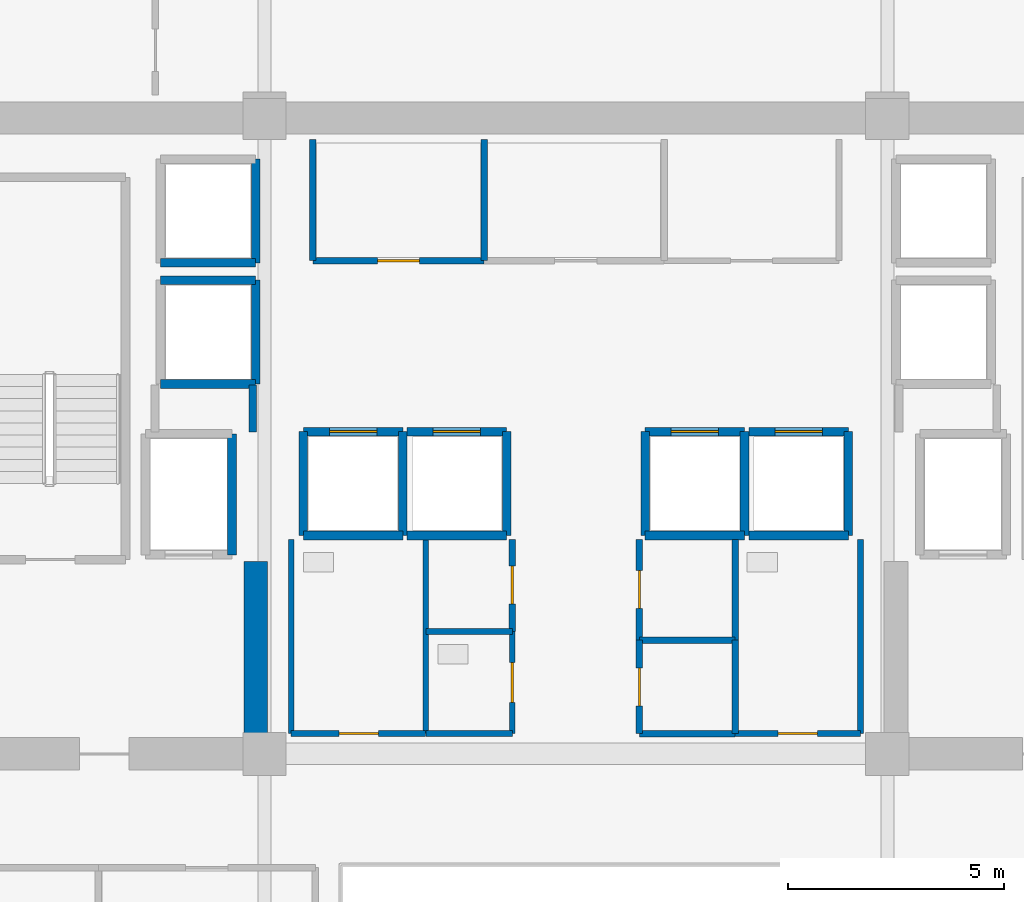
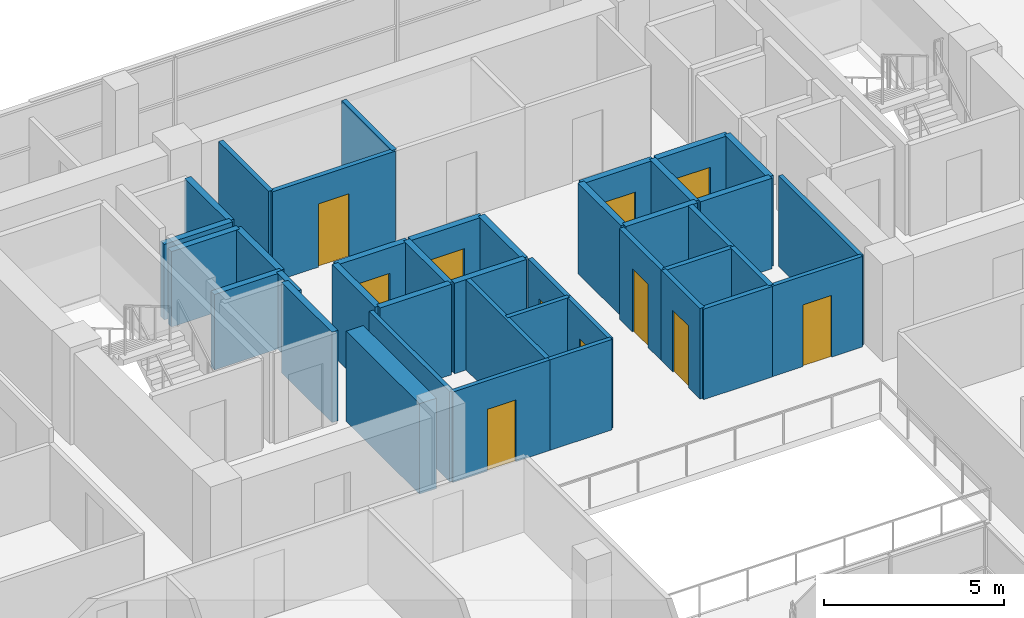
# One storey, part 16 of 22: 40 walls, 11 doors, 11 openings.
"""IFC4 building model written with IfcOpenShell, lengths in metres."""

from ifc_helpers import new_model, si_unit, direction, frame, frame_2d, origin, place, context, subcontext, project, spatial, rectangle, extrude, source, transform, mapped, material, layer, layer_set, type_object, element, fill, save


model = new_model("IFC4")

# Units and contexts
model_context = context("Model", 3, precision=1e-05, world=origin(), true_north=direction((0.0, 1.0)))
body_context = subcontext(model_context, "Body", "Model", "MODEL_VIEW")
ifc_project = project(units=[si_unit("LENGTHUNIT", "METRE"), si_unit("AREAUNIT", "SQUARE_METRE"), si_unit("VOLUMEUNIT", "CUBIC_METRE"), si_unit("PLANEANGLEUNIT", "RADIAN"), si_unit("MASSUNIT", "GRAM", prefix="KILO")], contexts=[model_context])

# Site, building, storey
site_placement = place(None, origin())
site = spatial("IfcSite", under=ifc_project, at=site_placement, CompositionType="ELEMENT")
building_placement = place(site_placement, origin())
building = spatial("IfcBuilding", under=site, at=building_placement, Name="Zarnakvel Exchange Tower", CompositionType="ELEMENT")
storey_placement = place(building_placement, frame((0.0, 0.0, 179.199951171875)))
storey = spatial("IfcBuildingStorey", under=building, at=storey_placement, Name="L50", CompositionType="ELEMENT", Elevation=179.199951171875)

# Wall
ifc_material_1 = material(Name="Concrete C60/75", Category="concrete")
ifc_layer_1 = layer(ifc_material_1, 0.550048828125)
ifc_layer_set_1 = layer_set([ifc_layer_1], Name="Concrete C60/75")
wall_type_1 = type_object("IfcWallType", Name="CW-C4", PredefinedType="SHEAR", material=ifc_layer_set_1)
wall_1_placement = place(storey_placement, frame((-7.39990234375, -0.824951171875, 0.0), z_axis=(0.0, 0.0, 1.0), x_axis=(0.0, 1.0, 0.0)))
element("IfcWall", 1, at=wall_1_placement, inside=storey, type_object=wall_type_1, Name="L50 Rear Core Shear Wall IW (CW-C4)", PredefinedType="SHEAR", context=body_context, shape_type="SweptSolid", body=[
    extrude(rectangle(XDim=4.074951171875, YDim=0.550048828125, at=frame_2d((2.03759765625, 0.0))), origin(), (0.0, 0.0, 1.0), 3.074951171875),
])

# Wall, opening, door
ifc_material_2 = material(Name="Fire-Rated Gypsum Stud Partition", Category="gypsum")
ifc_layer_2 = layer(ifc_material_2, 0.14990234375)
ifc_layer_set_2 = layer_set([ifc_layer_2], Name="Fire-Rated Gypsum Stud Partition")
wall_type_2 = type_object("IfcWallType", Name="PT-01", PredefinedType="PARTITIONING", material=ifc_layer_set_2)
wall_2_placement = place(storey_placement, frame((-2.1201171875, 10.199951171875, 0.0), z_axis=(0.0, 0.0, 1.0), x_axis=(-1.0, 0.0, 0.0)))
wall_2 = element("IfcWall", 2, at=wall_2_placement, inside=storey, type_object=wall_type_2, Name="L50 Partition Wall PWALL-L50-011 (PT-01)", PredefinedType="PARTITIONING", context=body_context, shape_type="SweptSolid", body=[
    extrude(rectangle(XDim=3.9599609375, YDim=0.14990234375, at=frame_2d((1.97998046875, 0.0))), origin(), (0.0, 0.0, 1.0), 3.074951171875),
])
opening_1_placement = place(wall_2_placement, frame((1.489990234375, 0.0, 0.0)))
opening_1 = element("IfcOpeningElement", 3, at=opening_1_placement, cuts=wall_2, Name="Opening D-L50-05", PredefinedType="OPENING", context=body_context, shape_type="SweptSolid", body=[
    extrude(rectangle(XDim=0.97998046875, YDim=2.14990234375, at=frame_2d((0.489990234375, 1.074951171875))), frame((0.0, 0.0849609375, 0.0), z_axis=(0.0, -1.0, 0.0), x_axis=(1.0, 0.0, 0.0)), (0.0, 0.0, 1.0), 0.169921875),
])
ifc_material_3 = material(Name="Timber Acoustic Veneer", Category="wood")
door_type_1 = type_object("IfcDoorType", Name="DT-05", OperationType="NOTDEFINED", PredefinedType="DOOR", material=ifc_material_3)
shared_shape_1 = source(origin(), body_context, "Body", "SweptSolid", [
    extrude(rectangle(XDim=0.97998046875, YDim=2.14990234375, at=frame_2d((0.489990234375, 1.074951171875))), frame((0.0, 0.02490234375, 0.0), z_axis=(0.0, -1.0, 0.0), x_axis=(1.0, 0.0, 0.0)), (0.0, 0.0, 1.0), 0.050048828125),
])
door_1_placement = place(opening_1_placement, origin())
door_1 = element("IfcDoor", 4, at=door_1_placement, inside=storey, type_object=door_type_1, Name="L50 Clearing Records Office Door D-L50-05", OperationType="SINGLE_SWING_RIGHT", OverallHeight=2.14990234375, OverallWidth=0.97998046875, PredefinedType="DOOR", context=body_context, shape_type="MappedRepresentation", body=[
    mapped(shared_shape_1, transform((0.0, 0.0, 0.0), x_axis=(1.0, 0.0, 0.0), y_axis=(0.0, 1.0, 0.0), z_axis=(0.0, 0.0, 1.0), scale=1.0)),
])
fill(opening_1, door_1)

# Walls
for number, where, z_axis, x_axis, name in (
    (5, (-6.080078125, 10.199951171875, 0.0), (0.0, 0.0, 1.0), (0.0, 1.0, 0.0), "L50 Partition Wall PWALL-L50-012 (PT-01)"),
    (6, (-2.1201171875, 13.0, 0.0), (0.0, 0.0, 1.0), (0.0, -1.0, 0.0), "L50 Partition Wall PWALL-L50-013 (PT-01)"),
):
    element("IfcWall", number, at=place(storey_placement, frame(where, z_axis=z_axis, x_axis=x_axis)), inside=storey, type_object=wall_type_2, Name=name, PredefinedType="PARTITIONING", context=body_context, shape_type="SweptSolid", body=[
        extrude(rectangle(XDim=2.800048828125, YDim=0.14990234375, at=frame_2d((1.39990234375, 0.0))), origin(), (0.0, 0.0, 1.0), 3.074951171875),
    ])

# Wall, opening, door
wall_3_placement = place(storey_placement, frame((-1.469970703125, 3.760009765625, 0.0), z_axis=(0.0, 0.0, 1.0), x_axis=(0.0, -1.0, 0.0)))
wall_3 = element("IfcWall", 7, at=wall_3_placement, inside=storey, type_object=wall_type_2, Name="L50 Partition Wall PWALL-L50-024 (PT-01)", PredefinedType="PARTITIONING", context=body_context, shape_type="SweptSolid", body=[
    extrude(rectangle(XDim=2.130126953125, YDim=0.14990234375, at=frame_2d((1.06494140625, 0.0))), origin(), (0.0, 0.0, 1.0), 3.074951171875),
])
opening_2_placement = place(wall_3_placement, frame((0.6201171875, 0.0, 0.0)))
opening_2 = element("IfcOpeningElement", 8, at=opening_2_placement, cuts=wall_3, Name="Opening D-L50-10", PredefinedType="OPENING", context=body_context, shape_type="SweptSolid", body=[
    extrude(rectangle(XDim=0.8798828125, YDim=2.10009765625, at=frame_2d((0.43994140625, 1.050048828125))), frame((0.0, 0.0849609375, 0.0), z_axis=(0.0, -1.0, 0.0), x_axis=(1.0, 0.0, 0.0)), (0.0, 0.0, 1.0), 0.169921875),
])
ifc_material_4 = material(Name="Painted Galvanised Steel S355", Category="steel")
door_type_2 = type_object("IfcDoorType", Name="DT-08", OperationType="NOTDEFINED", PredefinedType="DOOR", material=ifc_material_4)
shared_shape_2 = source(origin(), body_context, "Body", "SweptSolid", [
    extrude(rectangle(XDim=0.8798828125, YDim=2.10009765625, at=frame_2d((0.43994140625, 1.050048828125))), frame((0.0, 0.02490234375, 0.0), z_axis=(0.0, -1.0, 0.0), x_axis=(1.0, 0.0, 0.0)), (0.0, 0.0, 1.0), 0.050048828125),
])
door_2_placement = place(opening_2_placement, origin())
door_2 = element("IfcDoor", 9, at=door_2_placement, inside=storey, type_object=door_type_2, Name="L50 Core Comms Room Door D-L50-10", OperationType="SINGLE_SWING_LEFT", OverallHeight=2.10009765625, OverallWidth=0.8798828125, PredefinedType="DOOR", context=body_context, shape_type="MappedRepresentation", body=[
    mapped(shared_shape_2, transform((0.0, 0.0, 0.0), x_axis=(1.0, 0.0, 0.0), y_axis=(0.0, 1.0, 0.0), z_axis=(0.0, 0.0, 1.0), scale=1.0)),
])
fill(opening_2, door_2)

# Walls
for number, where, z_axis, x_axis, name in (
    (10, (3.679931640625, -0.72998046875, 0.0), (0.0, 0.0, 1.0), (-1.0, 0.0, 0.0), "L50 Partition Wall PWALL-L50-025 (PT-01)"),
    (11, (1.469970703125, 1.429931640625, 0.0), (0.0, 0.0, 1.0), (1.0, 0.0, 0.0), "L50 Partition Wall PWALL-L50-026 (PT-01)"),
):
    element("IfcWall", number, at=place(storey_placement, frame(where, z_axis=z_axis, x_axis=x_axis)), inside=storey, type_object=wall_type_2, Name=name, PredefinedType="PARTITIONING", context=body_context, shape_type="SweptSolid", body=[
        extrude(rectangle(XDim=2.2099609375, YDim=0.14990234375, at=frame_2d((1.10498046875, 0.0))), origin(), (0.0, 0.0, 1.0), 3.074951171875),
    ])

# Wall, opening, door
wall_4_placement = place(storey_placement, frame((1.469970703125, -0.72998046875, 0.0), z_axis=(0.0, 0.0, 1.0), x_axis=(0.0, 1.0, 0.0)))
wall_4 = element("IfcWall", 12, at=wall_4_placement, inside=storey, type_object=wall_type_2, Name="L50 Partition Wall PWALL-L50-027 (PT-01)", PredefinedType="PARTITIONING", context=body_context, shape_type="SweptSolid", body=[
    extrude(rectangle(XDim=2.159912109375, YDim=0.14990234375, at=frame_2d((1.080078125, 0.0))), origin(), (0.0, 0.0, 1.0), 3.074951171875),
])
opening_3_placement = place(wall_4_placement, frame((0.639892578125, 0.0, 0.0)))
opening_3 = element("IfcOpeningElement", 13, at=opening_3_placement, cuts=wall_4, Name="Opening D-L50-11", PredefinedType="OPENING", context=body_context, shape_type="SweptSolid", body=[
    extrude(rectangle(XDim=0.8798828125, YDim=2.10009765625, at=frame_2d((0.43994140625, 1.050048828125))), frame((0.0, 0.0849609375, 0.0), z_axis=(0.0, -1.0, 0.0), x_axis=(1.0, 0.0, 0.0)), (0.0, 0.0, 1.0), 0.169921875),
])
door_3_placement = place(opening_3_placement, origin())
door_3 = element("IfcDoor", 14, at=door_3_placement, inside=storey, type_object=door_type_2, Name="L50 Janitor Store Door D-L50-11", OperationType="SINGLE_SWING_RIGHT", OverallHeight=2.10009765625, OverallWidth=0.8798828125, PredefinedType="DOOR", context=body_context, shape_type="MappedRepresentation", body=[
    mapped(shared_shape_2, transform((0.0, 0.0, 0.0), x_axis=(1.0, 0.0, 0.0), y_axis=(0.0, 1.0, 0.0), z_axis=(0.0, 0.0, 1.0), scale=1.0)),
])
fill(opening_3, door_3)

# Wall
wall_5_placement = place(storey_placement, frame((3.679931640625, 1.429931640625, 0.0), z_axis=(0.0, 0.0, 1.0), x_axis=(0.0, -1.0, 0.0)))
element("IfcWall", 15, at=wall_5_placement, inside=storey, type_object=wall_type_2, Name="L50 Partition Wall PWALL-L50-028 (PT-01)", PredefinedType="PARTITIONING", context=body_context, shape_type="SweptSolid", body=[
    extrude(rectangle(XDim=2.159912109375, YDim=0.14990234375, at=frame_2d((1.080078125, 0.0))), origin(), (0.0, 0.0, 1.0), 3.074951171875),
])

# Wall, opening, door
wall_6_placement = place(storey_placement, frame((1.469970703125, 1.429931640625, 0.0), z_axis=(0.0, 0.0, 1.0), x_axis=(0.0, 1.0, 0.0)))
wall_6 = element("IfcWall", 16, at=wall_6_placement, inside=storey, type_object=wall_type_2, Name="L50 Partition Wall PWALL-L50-029 (PT-01)", PredefinedType="PARTITIONING", context=body_context, shape_type="SweptSolid", body=[
    extrude(rectangle(XDim=2.330078125, YDim=0.14990234375, at=frame_2d((1.1650390625, 0.0))), origin(), (0.0, 0.0, 1.0), 3.074951171875),
])
opening_4_placement = place(wall_6_placement, frame((0.72998046875, 0.0, 0.0)))
opening_4 = element("IfcOpeningElement", 17, at=opening_4_placement, cuts=wall_6, Name="Opening D-L50-12", PredefinedType="OPENING", context=body_context, shape_type="SweptSolid", body=[
    extrude(rectangle(XDim=0.8798828125, YDim=2.14990234375, at=frame_2d((0.43994140625, 1.074951171875))), frame((0.0, 0.0849609375, 0.0), z_axis=(0.0, -1.0, 0.0), x_axis=(1.0, 0.0, 0.0)), (0.0, 0.0, 1.0), 0.169921875),
])
shared_shape_3 = source(origin(), body_context, "Body", "SweptSolid", [
    extrude(rectangle(XDim=0.8798828125, YDim=2.14990234375, at=frame_2d((0.43994140625, 1.074951171875))), frame((0.0, 0.02490234375, 0.0), z_axis=(0.0, -1.0, 0.0), x_axis=(1.0, 0.0, 0.0)), (0.0, 0.0, 1.0), 0.050048828125),
])
door_4_placement = place(opening_4_placement, origin())
door_4 = element("IfcDoor", 18, at=door_4_placement, inside=storey, type_object=door_type_1, Name="L50 Stationery Store Door D-L50-12", OperationType="SINGLE_SWING_LEFT", OverallHeight=2.14990234375, OverallWidth=0.8798828125, PredefinedType="DOOR", context=body_context, shape_type="MappedRepresentation", body=[
    mapped(shared_shape_3, transform((0.0, 0.0, 0.0), x_axis=(1.0, 0.0, 0.0), y_axis=(0.0, 1.0, 0.0), z_axis=(0.0, 0.0, 1.0), scale=1.0)),
])
fill(opening_4, door_4)

# Walls
wall_7_placement = place(storey_placement, frame((3.679931640625, 3.760009765625, 0.0), z_axis=(0.0, 0.0, 1.0), x_axis=(0.0, -1.0, 0.0)))
element("IfcWall", 19, at=wall_7_placement, inside=storey, type_object=wall_type_2, Name="L50 Partition Wall PWALL-L50-030 (PT-01)", PredefinedType="PARTITIONING", context=body_context, shape_type="SweptSolid", body=[
    extrude(rectangle(XDim=2.330078125, YDim=0.14990234375, at=frame_2d((1.1650390625, 0.0))), origin(), (0.0, 0.0, 1.0), 3.074951171875),
])
ifc_layer_3 = layer(ifc_material_2, 0.179931640625)
ifc_layer_set_3 = layer_set([ifc_layer_3], Name="Fire-Rated Gypsum Stud Partition")
wall_type_3 = type_object("IfcWallType", Name="PT-02", PredefinedType="PARTITIONING", material=ifc_layer_set_3)
wall_8_placement = place(storey_placement, frame((-7.469970703125, 7.330078125, 0.0), z_axis=(0.0, 0.0, 1.0), x_axis=(0.0, -1.0, 0.0)))
element("IfcWall", 20, at=wall_8_placement, inside=storey, type_object=wall_type_3, Name="L50 Partition Wall PWALL-L50-008 (PT-02)", PredefinedType="PARTITIONING", context=body_context, shape_type="SweptSolid", body=[
    extrude(rectangle(XDim=1.090087890625, YDim=0.179931640625, at=frame_2d((0.544921875, 0.0))), origin(), (0.0, 0.0, 1.0), 2.56494140625),
])

# Wall, opening, door
ifc_material_5 = material(Name="Moisture-Resistant Tile-Faced Partition", Category="gypsum")
ifc_layer_4 = layer(ifc_material_5, 0.135009765625)
ifc_layer_set_4 = layer_set([ifc_layer_4], Name="Moisture-Resistant Tile-Faced Partition")
wall_type_4 = type_object("IfcWallType", Name="PT-03", PredefinedType="PARTITIONING", material=ifc_layer_set_4)
wall_9_placement = place(storey_placement, frame((-3.469970703125, -0.72998046875, 0.0), z_axis=(0.0, 0.0, 1.0), x_axis=(-1.0, 0.0, 0.0)))
wall_9 = element("IfcWall", 21, at=wall_9_placement, inside=storey, type_object=wall_type_4, Name="L50 Partition Wall PWALL-L50-018 (PT-03)", PredefinedType="PARTITIONING", context=body_context, shape_type="SweptSolid", body=[
    extrude(rectangle(XDim=3.110107421875, YDim=0.135009765625, at=frame_2d((1.55517578125, 0.0))), origin(), (0.0, 0.0, 1.0), 3.074951171875),
])
opening_5_placement = place(wall_9_placement, frame((1.090087890625, 0.0, 0.0)))
opening_5 = element("IfcOpeningElement", 22, at=opening_5_placement, cuts=wall_9, Name="Opening D-L50-08", PredefinedType="OPENING", context=body_context, shape_type="SweptSolid", body=[
    extrude(rectangle(XDim=0.919921875, YDim=2.10009765625, at=frame_2d((0.4599609375, 1.050048828125))), frame((0.0, 0.077392578125, 0.0), z_axis=(0.0, -1.0, 0.0), x_axis=(1.0, 0.0, 0.0)), (0.0, 0.0, 1.0), 0.155029296875),
])
ifc_material_6 = material(Name="Moisture-Resistant Laminate Timber", Category="wood")
door_type_3 = type_object("IfcDoorType", Name="DT-07", OperationType="NOTDEFINED", PredefinedType="DOOR", material=ifc_material_6)
shared_shape_4 = source(origin(), body_context, "Body", "SweptSolid", [
    extrude(rectangle(XDim=0.919921875, YDim=2.10009765625, at=frame_2d((0.4599609375, 1.050048828125))), frame((0.0, 0.02490234375, 0.0), z_axis=(0.0, -1.0, 0.0), x_axis=(1.0, 0.0, 0.0)), (0.0, 0.0, 1.0), 0.050048828125),
])
door_5_placement = place(opening_5_placement, origin())
door_5 = element("IfcDoor", 23, at=door_5_placement, inside=storey, type_object=door_type_3, Name="L50 Male Toilet Door D-L50-08", OperationType="SINGLE_SWING_LEFT", OverallHeight=2.10009765625, OverallWidth=0.919921875, PredefinedType="DOOR", context=body_context, shape_type="MappedRepresentation", body=[
    mapped(shared_shape_4, transform((0.0, 0.0, 0.0), x_axis=(1.0, 0.0, 0.0), y_axis=(0.0, 1.0, 0.0), z_axis=(0.0, 0.0, 1.0), scale=1.0)),
])
fill(opening_5, door_5)

# Walls
for number, where, z_axis, x_axis, name in (
    (24, (-6.580078125, -0.72998046875, 0.0), (0.0, 0.0, 1.0), (0.0, 1.0, 0.0), "L50 Partition Wall PWALL-L50-019 (PT-03)"),
    (25, (-3.469970703125, 3.760009765625, 0.0), (0.0, 0.0, 1.0), (0.0, -1.0, 0.0), "L50 Partition Wall PWALL-L50-020 (PT-03)"),
):
    element("IfcWall", number, at=place(storey_placement, frame(where, z_axis=z_axis, x_axis=x_axis)), inside=storey, type_object=wall_type_4, Name=name, PredefinedType="PARTITIONING", context=body_context, shape_type="SweptSolid", body=[
        extrude(rectangle(XDim=4.489990234375, YDim=0.135009765625, at=frame_2d((2.2451171875, 0.0))), origin(), (0.0, 0.0, 1.0), 3.074951171875),
    ])
for number, where, z_axis, x_axis, name in (
    (26, (-1.469970703125, -0.72998046875, 0.0), (0.0, 0.0, 1.0), (-1.0, 0.0, 0.0), "L50 Partition Wall PWALL-L50-021 (PT-03)"),
    (27, (-3.469970703125, 1.6298828125, 0.0), (0.0, 0.0, 1.0), (1.0, 0.0, 0.0), "L50 Partition Wall PWALL-L50-022 (PT-03)"),
):
    element("IfcWall", number, at=place(storey_placement, frame(where, z_axis=z_axis, x_axis=x_axis)), inside=storey, type_object=wall_type_4, Name=name, PredefinedType="PARTITIONING", context=body_context, shape_type="SweptSolid", body=[
        extrude(rectangle(XDim=2.0, YDim=0.135009765625, at=frame_2d((1.0, 0.0))), origin(), (0.0, 0.0, 1.0), 3.074951171875),
    ])

# Wall, opening, door
wall_10_placement = place(storey_placement, frame((-1.469970703125, 1.6298828125, 0.0), z_axis=(0.0, 0.0, 1.0), x_axis=(0.0, -1.0, 0.0)))
wall_10 = element("IfcWall", 28, at=wall_10_placement, inside=storey, type_object=wall_type_4, Name="L50 Partition Wall PWALL-L50-023 (PT-03)", PredefinedType="PARTITIONING", context=body_context, shape_type="SweptSolid", body=[
    extrude(rectangle(XDim=2.35986328125, YDim=0.135009765625, at=frame_2d((1.179931640625, 0.0))), origin(), (0.0, 0.0, 1.0), 3.074951171875),
])
opening_6_placement = place(wall_10_placement, frame((0.719970703125, 0.0, 0.0)))
opening_6 = element("IfcOpeningElement", 29, at=opening_6_placement, cuts=wall_10, Name="Opening D-L50-09", PredefinedType="OPENING", context=body_context, shape_type="SweptSolid", body=[
    extrude(rectangle(XDim=0.919921875, YDim=2.10009765625, at=frame_2d((0.4599609375, 1.050048828125))), frame((0.0, 0.077392578125, 0.0), z_axis=(0.0, -1.0, 0.0), x_axis=(1.0, 0.0, 0.0)), (0.0, 0.0, 1.0), 0.155029296875),
])
door_6_placement = place(opening_6_placement, origin())
door_6 = element("IfcDoor", 30, at=door_6_placement, inside=storey, type_object=door_type_3, Name="L50 Accessible Toilet Door D-L50-09", OperationType="SINGLE_SWING_RIGHT", OverallHeight=2.10009765625, OverallWidth=0.919921875, PredefinedType="DOOR", context=body_context, shape_type="MappedRepresentation", body=[
    mapped(shared_shape_4, transform((0.0, 0.0, 0.0), x_axis=(1.0, 0.0, 0.0), y_axis=(0.0, 1.0, 0.0), z_axis=(0.0, 0.0, 1.0), scale=1.0)),
])
fill(opening_6, door_6)

wall_11_placement = place(storey_placement, frame((6.580078125, -0.72998046875, 0.0), z_axis=(0.0, 0.0, 1.0), x_axis=(-1.0, 0.0, 0.0)))
wall_11 = element("IfcWall", 31, at=wall_11_placement, inside=storey, type_object=wall_type_4, Name="L50 Partition Wall PWALL-L50-031 (PT-03)", PredefinedType="PARTITIONING", context=body_context, shape_type="SweptSolid", body=[
    extrude(rectangle(XDim=2.900146484375, YDim=0.135009765625, at=frame_2d((1.4501953125, 0.0))), origin(), (0.0, 0.0, 1.0), 3.074951171875),
])
opening_7_placement = place(wall_11_placement, frame((0.989990234375, 0.0, 0.0)))
opening_7 = element("IfcOpeningElement", 32, at=opening_7_placement, cuts=wall_11, Name="Opening D-L50-13", PredefinedType="OPENING", context=body_context, shape_type="SweptSolid", body=[
    extrude(rectangle(XDim=0.919921875, YDim=2.10009765625, at=frame_2d((0.4599609375, 1.050048828125))), frame((0.0, 0.077392578125, 0.0), z_axis=(0.0, -1.0, 0.0), x_axis=(1.0, 0.0, 0.0)), (0.0, 0.0, 1.0), 0.155029296875),
])
door_7_placement = place(opening_7_placement, origin())
door_7 = element("IfcDoor", 33, at=door_7_placement, inside=storey, type_object=door_type_3, Name="L50 Female Toilet Door D-L50-13", OperationType="SINGLE_SWING_RIGHT", OverallHeight=2.10009765625, OverallWidth=0.919921875, PredefinedType="DOOR", context=body_context, shape_type="MappedRepresentation", body=[
    mapped(shared_shape_4, transform((0.0, 0.0, 0.0), x_axis=(1.0, 0.0, 0.0), y_axis=(0.0, 1.0, 0.0), z_axis=(0.0, 0.0, 1.0), scale=1.0)),
])
fill(opening_7, door_7)

# Walls
wall_12_placement = place(storey_placement, frame((6.580078125, 3.760009765625, 0.0), z_axis=(0.0, 0.0, 1.0), x_axis=(0.0, -1.0, 0.0)))
element("IfcWall", 34, at=wall_12_placement, inside=storey, type_object=wall_type_4, Name="L50 Partition Wall PWALL-L50-032 (PT-03)", PredefinedType="PARTITIONING", context=body_context, shape_type="SweptSolid", body=[
    extrude(rectangle(XDim=4.489990234375, YDim=0.135009765625, at=frame_2d((2.2451171875, 0.0))), origin(), (0.0, 0.0, 1.0), 3.074951171875),
])
ifc_material_7 = material(Name="Concrete C40/50", Category="concrete")
ifc_layer_5 = layer(ifc_material_7, 0.199951171875)
ifc_layer_set_5 = layer_set([ifc_layer_5], Name="Concrete C40/50")
wall_type_5 = type_object("IfcWallType", Name="SW-01", PredefinedType="SOLIDWALL", material=ifc_layer_set_5)
wall_13_placement = place(storey_placement, frame((-7.949951171875, 6.199951171875, 0.0), z_axis=(0.0, 0.0, 1.0), x_axis=(0.0, -1.0, 0.0)))
element("IfcWall", 35, at=wall_13_placement, inside=storey, type_object=wall_type_5, Name="L50 FL-01 Hoistway Wall East", PredefinedType="SOLIDWALL", context=body_context, shape_type="SweptSolid", body=[
    extrude(rectangle(XDim=2.800048828125, YDim=0.199951171875, at=frame_2d((1.39990234375, 0.0))), origin(), (0.0, 0.0, 1.0), 3.074951171875),
])
wall_14_placement = place(storey_placement, frame((-4.0, 3.85009765625, 0.0), z_axis=(0.0, 0.0, 1.0), x_axis=(-1.0, 0.0, 0.0)))
element("IfcWall", 36, at=wall_14_placement, inside=storey, type_object=wall_type_5, Name="L50 PL-05 Hoistway Wall South", PredefinedType="SOLIDWALL", context=body_context, shape_type="SweptSolid", body=[
    extrude(rectangle(XDim=2.300048828125, YDim=0.199951171875, at=frame_2d((1.14990234375, 0.0))), origin(), (0.0, 0.0, 1.0), 3.074951171875),
])

# Wall, opening, door
wall_15_placement = place(storey_placement, frame((-6.300048828125, 6.25, 0.0), z_axis=(0.0, 0.0, 1.0), x_axis=(1.0, 0.0, 0.0)))
wall_15 = element("IfcWall", 37, at=wall_15_placement, inside=storey, type_object=wall_type_5, Name="L50 PL-05 Hoistway Wall North", PredefinedType="SOLIDWALL", context=body_context, shape_type="SweptSolid", body=[
    extrude(rectangle(XDim=2.300048828125, YDim=0.199951171875, at=frame_2d((1.14990234375, 0.0))), origin(), (0.0, 0.0, 1.0), 3.074951171875),
])
opening_8_placement = place(wall_15_placement, frame((0.60009765625, 0.0, 0.0)))
opening_8 = element("IfcOpeningElement", 38, at=opening_8_placement, cuts=wall_15, Name="Opening LD-PL-05-L50", PredefinedType="OPENING", context=body_context, shape_type="SweptSolid", body=[
    extrude(rectangle(XDim=1.10009765625, YDim=2.199951171875, at=frame_2d((0.550048828125, 1.10009765625))), frame((0.0, 0.10986328125, 0.0), z_axis=(0.0, -1.0, 0.0), x_axis=(1.0, 0.0, 0.0)), (0.0, 0.0, 1.0), 0.219970703125),
])
ifc_material_8 = material(Name="Architectural Bronze Anodised Aluminium", Category="aluminium")
door_type_4 = type_object("IfcDoorType", Name="LDT-02", OperationType="NOTDEFINED", PredefinedType="DOOR", material=ifc_material_8)
shared_shape_5 = source(origin(), body_context, "Body", "SweptSolid", [
    extrude(rectangle(XDim=1.10009765625, YDim=2.199951171875, at=frame_2d((0.550048828125, 1.10009765625))), frame((0.0, 0.02490234375, 0.0), z_axis=(0.0, -1.0, 0.0), x_axis=(1.0, 0.0, 0.0)), (0.0, 0.0, 1.0), 0.050048828125),
])
door_8_placement = place(opening_8_placement, origin())
door_8 = element("IfcDoor", 39, at=door_8_placement, inside=storey, type_object=door_type_4, Name="L50 PL-05 Lift Landing Door LD-PL-05-L50", OperationType="DOUBLE_DOOR_SLIDING", OverallHeight=2.199951171875, OverallWidth=1.10009765625, PredefinedType="DOOR", context=body_context, shape_type="MappedRepresentation", body=[
    mapped(shared_shape_5, transform((0.0, 0.0, 0.0), x_axis=(1.0, 0.0, 0.0), y_axis=(0.0, 1.0, 0.0), z_axis=(0.0, 0.0, 1.0), scale=1.0)),
])
fill(opening_8, door_8)

# Walls
for number, where, z_axis, x_axis, name in (
    (40, (-6.300048828125, 3.85009765625, 0.0), (0.0, 0.0, 1.0), (0.0, 1.0, 0.0), "L50 PL-05 Hoistway Wall West"),
    (41, (-4.0, 6.25, 0.0), (0.0, 0.0, 1.0), (0.0, -1.0, 0.0), "L50 PL-05 Hoistway Wall East"),
):
    element("IfcWall", number, at=place(storey_placement, frame(where, z_axis=z_axis, x_axis=x_axis)), inside=storey, type_object=wall_type_5, Name=name, PredefinedType="SOLIDWALL", context=body_context, shape_type="SweptSolid", body=[
        extrude(rectangle(XDim=2.39990234375, YDim=0.199951171875, at=frame_2d((1.199951171875, 0.0))), origin(), (0.0, 0.0, 1.0), 3.074951171875),
    ])
wall_16_placement = place(storey_placement, frame((-1.60009765625, 3.85009765625, 0.0), z_axis=(0.0, 0.0, 1.0), x_axis=(-1.0, 0.0, 0.0)))
element("IfcWall", 42, at=wall_16_placement, inside=storey, type_object=wall_type_5, Name="L50 PL-06 Hoistway Wall South", PredefinedType="SOLIDWALL", context=body_context, shape_type="SweptSolid", body=[
    extrude(rectangle(XDim=2.2998046875, YDim=0.199951171875, at=frame_2d((1.14990234375, 0.0))), origin(), (0.0, 0.0, 1.0), 3.074951171875),
])

# Wall, opening, door
wall_17_placement = place(storey_placement, frame((-3.89990234375, 6.25, 0.0), z_axis=(0.0, 0.0, 1.0), x_axis=(1.0, 0.0, 0.0)))
wall_17 = element("IfcWall", 43, at=wall_17_placement, inside=storey, type_object=wall_type_5, Name="L50 PL-06 Hoistway Wall North", PredefinedType="SOLIDWALL", context=body_context, shape_type="SweptSolid", body=[
    extrude(rectangle(XDim=2.2998046875, YDim=0.199951171875, at=frame_2d((1.14990234375, 0.0))), origin(), (0.0, 0.0, 1.0), 3.074951171875),
])
opening_9_placement = place(wall_17_placement, frame((0.60009765625, 0.0, 0.0)))
opening_9 = element("IfcOpeningElement", 44, at=opening_9_placement, cuts=wall_17, Name="Opening LD-PL-06-L50", PredefinedType="OPENING", context=body_context, shape_type="SweptSolid", body=[
    extrude(rectangle(XDim=1.10009765625, YDim=2.199951171875, at=frame_2d((0.550048828125, 1.10009765625))), frame((0.0, 0.10986328125, 0.0), z_axis=(0.0, -1.0, 0.0), x_axis=(1.0, 0.0, 0.0)), (0.0, 0.0, 1.0), 0.219970703125),
])
door_9_placement = place(opening_9_placement, origin())
door_9 = element("IfcDoor", 45, at=door_9_placement, inside=storey, type_object=door_type_4, Name="L50 PL-06 Lift Landing Door LD-PL-06-L50", OperationType="DOUBLE_DOOR_SLIDING", OverallHeight=2.199951171875, OverallWidth=1.10009765625, PredefinedType="DOOR", context=body_context, shape_type="MappedRepresentation", body=[
    mapped(shared_shape_5, transform((0.0, 0.0, 0.0), x_axis=(1.0, 0.0, 0.0), y_axis=(0.0, 1.0, 0.0), z_axis=(0.0, 0.0, 1.0), scale=1.0)),
])
fill(opening_9, door_9)

# Walls
wall_18_placement = place(storey_placement, frame((-1.60009765625, 6.25, 0.0), z_axis=(0.0, 0.0, 1.0), x_axis=(0.0, -1.0, 0.0)))
element("IfcWall", 46, at=wall_18_placement, inside=storey, type_object=wall_type_5, Name="L50 PL-06 Hoistway Wall East", PredefinedType="SOLIDWALL", context=body_context, shape_type="SweptSolid", body=[
    extrude(rectangle(XDim=2.39990234375, YDim=0.199951171875, at=frame_2d((1.199951171875, 0.0))), origin(), (0.0, 0.0, 1.0), 3.074951171875),
])
wall_19_placement = place(storey_placement, frame((3.89990234375, 3.85009765625, 0.0), z_axis=(0.0, 0.0, 1.0), x_axis=(-1.0, 0.0, 0.0)))
element("IfcWall", 47, at=wall_19_placement, inside=storey, type_object=wall_type_5, Name="L50 PL-07 Hoistway Wall South", PredefinedType="SOLIDWALL", context=body_context, shape_type="SweptSolid", body=[
    extrude(rectangle(XDim=2.2998046875, YDim=0.199951171875, at=frame_2d((1.14990234375, 0.0))), origin(), (0.0, 0.0, 1.0), 3.074951171875),
])

# Wall, opening, door
wall_20_placement = place(storey_placement, frame((1.60009765625, 6.25, 0.0), z_axis=(0.0, 0.0, 1.0), x_axis=(1.0, 0.0, 0.0)))
wall_20 = element("IfcWall", 48, at=wall_20_placement, inside=storey, type_object=wall_type_5, Name="L50 PL-07 Hoistway Wall North", PredefinedType="SOLIDWALL", context=body_context, shape_type="SweptSolid", body=[
    extrude(rectangle(XDim=2.2998046875, YDim=0.199951171875, at=frame_2d((1.14990234375, 0.0))), origin(), (0.0, 0.0, 1.0), 3.074951171875),
])
opening_10_placement = place(wall_20_placement, frame((0.60009765625, 0.0, 0.0)))
opening_10 = element("IfcOpeningElement", 49, at=opening_10_placement, cuts=wall_20, Name="Opening LD-PL-07-L50", PredefinedType="OPENING", context=body_context, shape_type="SweptSolid", body=[
    extrude(rectangle(XDim=1.10009765625, YDim=2.199951171875, at=frame_2d((0.550048828125, 1.10009765625))), frame((0.0, 0.10986328125, 0.0), z_axis=(0.0, -1.0, 0.0), x_axis=(1.0, 0.0, 0.0)), (0.0, 0.0, 1.0), 0.219970703125),
])
door_10_placement = place(opening_10_placement, origin())
door_10 = element("IfcDoor", 50, at=door_10_placement, inside=storey, type_object=door_type_4, Name="L50 PL-07 Lift Landing Door LD-PL-07-L50", OperationType="DOUBLE_DOOR_SLIDING", OverallHeight=2.199951171875, OverallWidth=1.10009765625, PredefinedType="DOOR", context=body_context, shape_type="MappedRepresentation", body=[
    mapped(shared_shape_5, transform((0.0, 0.0, 0.0), x_axis=(1.0, 0.0, 0.0), y_axis=(0.0, 1.0, 0.0), z_axis=(0.0, 0.0, 1.0), scale=1.0)),
])
fill(opening_10, door_10)

# Walls
for number, where, z_axis, x_axis, name in (
    (51, (1.60009765625, 3.85009765625, 0.0), (0.0, 0.0, 1.0), (0.0, 1.0, 0.0), "L50 PL-07 Hoistway Wall West"),
    (52, (3.89990234375, 6.25, 0.0), (0.0, 0.0, 1.0), (0.0, -1.0, 0.0), "L50 PL-07 Hoistway Wall East"),
):
    element("IfcWall", number, at=place(storey_placement, frame(where, z_axis=z_axis, x_axis=x_axis)), inside=storey, type_object=wall_type_5, Name=name, PredefinedType="SOLIDWALL", context=body_context, shape_type="SweptSolid", body=[
        extrude(rectangle(XDim=2.39990234375, YDim=0.199951171875, at=frame_2d((1.199951171875, 0.0))), origin(), (0.0, 0.0, 1.0), 3.074951171875),
    ])
wall_21_placement = place(storey_placement, frame((6.300048828125, 3.85009765625, 0.0), z_axis=(0.0, 0.0, 1.0), x_axis=(-1.0, 0.0, 0.0)))
element("IfcWall", 53, at=wall_21_placement, inside=storey, type_object=wall_type_5, Name="L50 PL-08 Hoistway Wall South", PredefinedType="SOLIDWALL", context=body_context, shape_type="SweptSolid", body=[
    extrude(rectangle(XDim=2.300048828125, YDim=0.199951171875, at=frame_2d((1.14990234375, 0.0))), origin(), (0.0, 0.0, 1.0), 3.074951171875),
])

# Wall, opening, door
wall_22_placement = place(storey_placement, frame((4.0, 6.25, 0.0), z_axis=(0.0, 0.0, 1.0), x_axis=(1.0, 0.0, 0.0)))
wall_22 = element("IfcWall", 54, at=wall_22_placement, inside=storey, type_object=wall_type_5, Name="L50 PL-08 Hoistway Wall North", PredefinedType="SOLIDWALL", context=body_context, shape_type="SweptSolid", body=[
    extrude(rectangle(XDim=2.300048828125, YDim=0.199951171875, at=frame_2d((1.14990234375, 0.0))), origin(), (0.0, 0.0, 1.0), 3.074951171875),
])
opening_11_placement = place(wall_22_placement, frame((0.60009765625, 0.0, 0.0)))
opening_11 = element("IfcOpeningElement", 55, at=opening_11_placement, cuts=wall_22, Name="Opening LD-PL-08-L50", PredefinedType="OPENING", context=body_context, shape_type="SweptSolid", body=[
    extrude(rectangle(XDim=1.10009765625, YDim=2.199951171875, at=frame_2d((0.550048828125, 1.10009765625))), frame((0.0, 0.10986328125, 0.0), z_axis=(0.0, -1.0, 0.0), x_axis=(1.0, 0.0, 0.0)), (0.0, 0.0, 1.0), 0.219970703125),
])
door_11_placement = place(opening_11_placement, origin())
door_11 = element("IfcDoor", 56, at=door_11_placement, inside=storey, type_object=door_type_4, Name="L50 PL-08 Lift Landing Door LD-PL-08-L50", OperationType="DOUBLE_DOOR_SLIDING", OverallHeight=2.199951171875, OverallWidth=1.10009765625, PredefinedType="DOOR", context=body_context, shape_type="MappedRepresentation", body=[
    mapped(shared_shape_5, transform((0.0, 0.0, 0.0), x_axis=(1.0, 0.0, 0.0), y_axis=(0.0, 1.0, 0.0), z_axis=(0.0, 0.0, 1.0), scale=1.0)),
])
fill(opening_11, door_11)

# Walls
wall_23_placement = place(storey_placement, frame((6.300048828125, 6.25, 0.0), z_axis=(0.0, 0.0, 1.0), x_axis=(0.0, -1.0, 0.0)))
element("IfcWall", 57, at=wall_23_placement, inside=storey, type_object=wall_type_5, Name="L50 PL-08 Hoistway Wall East", PredefinedType="SOLIDWALL", context=body_context, shape_type="SweptSolid", body=[
    extrude(rectangle(XDim=2.39990234375, YDim=0.199951171875, at=frame_2d((1.199951171875, 0.0))), origin(), (0.0, 0.0, 1.0), 3.074951171875),
])
for number, where, z_axis, x_axis, name in (
    (58, (-7.39990234375, 7.35009765625, 0.0), (0.0, 0.0, 1.0), (-1.0, 0.0, 0.0), "L50 PL-09 Hoistway Wall South"),
    (59, (-9.60009765625, 9.75, 0.0), (0.0, 0.0, 1.0), (1.0, 0.0, 0.0), "L50 PL-09 Hoistway Wall North"),
):
    element("IfcWall", number, at=place(storey_placement, frame(where, z_axis=z_axis, x_axis=x_axis)), inside=storey, type_object=wall_type_5, Name=name, PredefinedType="SOLIDWALL", context=body_context, shape_type="SweptSolid", body=[
        extrude(rectangle(XDim=2.2001953125, YDim=0.199951171875, at=frame_2d((1.10009765625, 0.0))), origin(), (0.0, 0.0, 1.0), 2.56494140625),
    ])
wall_24_placement = place(storey_placement, frame((-7.39990234375, 9.75, 0.0), z_axis=(0.0, 0.0, 1.0), x_axis=(0.0, -1.0, 0.0)))
element("IfcWall", 60, at=wall_24_placement, inside=storey, type_object=wall_type_5, Name="L50 PL-09 Hoistway Wall East", PredefinedType="SOLIDWALL", context=body_context, shape_type="SweptSolid", body=[
    extrude(rectangle(XDim=2.39990234375, YDim=0.199951171875, at=frame_2d((1.199951171875, 0.0))), origin(), (0.0, 0.0, 1.0), 2.56494140625),
])
wall_25_placement = place(storey_placement, frame((-7.39990234375, 10.14990234375, 0.0), z_axis=(0.0, 0.0, 1.0), x_axis=(-1.0, 0.0, 0.0)))
element("IfcWall", 61, at=wall_25_placement, inside=storey, type_object=wall_type_5, Name="L50 PL-10 Hoistway Wall South", PredefinedType="SOLIDWALL", context=body_context, shape_type="SweptSolid", body=[
    extrude(rectangle(XDim=2.2001953125, YDim=0.199951171875, at=frame_2d((1.10009765625, 0.0))), origin(), (0.0, 0.0, 1.0), 2.56494140625),
])
wall_26_placement = place(storey_placement, frame((-7.39990234375, 12.550048828125, 0.0), z_axis=(0.0, 0.0, 1.0), x_axis=(0.0, -1.0, 0.0)))
element("IfcWall", 62, at=wall_26_placement, inside=storey, type_object=wall_type_5, Name="L50 PL-10 Hoistway Wall East", PredefinedType="SOLIDWALL", context=body_context, shape_type="SweptSolid", body=[
    extrude(rectangle(XDim=2.400146484375, YDim=0.199951171875, at=frame_2d((1.2001953125, 0.0))), origin(), (0.0, 0.0, 1.0), 2.56494140625),
])

save(model, "model.ifc")
